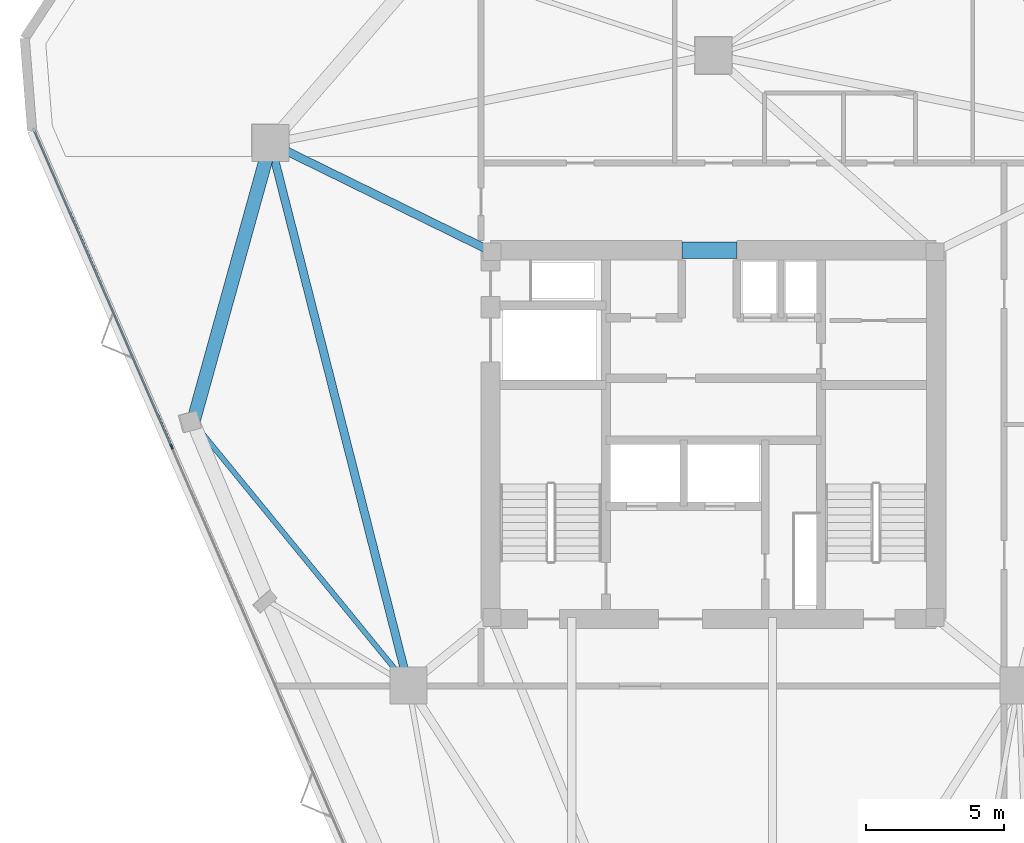
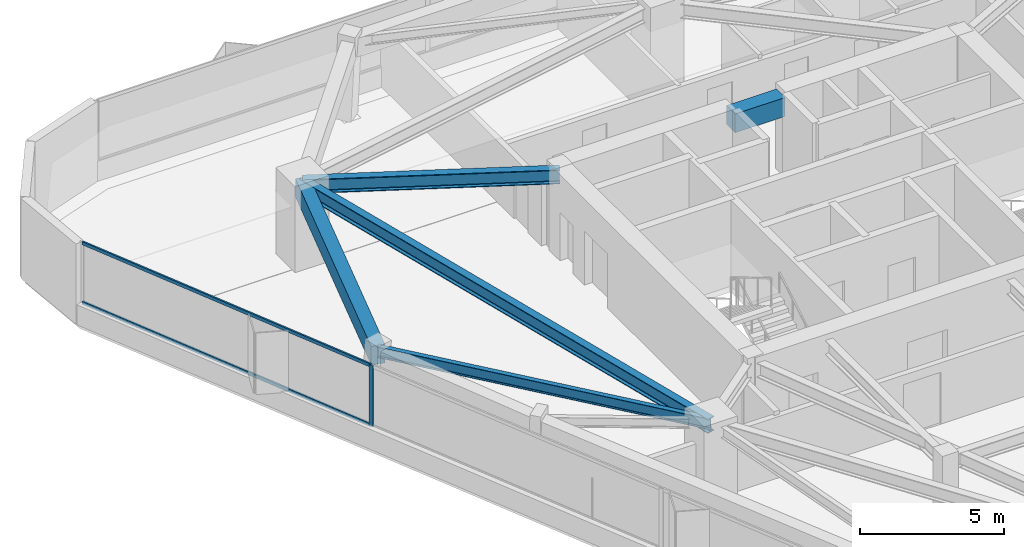
# One storey, part 6 of 13: 5 beams, 3 members, 1 element without a shape of its own.
"""IFC4 building model written with IfcOpenShell, lengths in metres."""

from ifc_helpers import new_model, si_unit, direction, frame, origin, origin_2d, place, context, subcontext, project, spatial, rectangle, i_section, extrude, material, layer, layer_set, material_profile, profile_set, type_object, element, aggregate, save


model = new_model("IFC4")

# Units and contexts
model_context = context("Model", 3, precision=1e-05, world=origin(), true_north=direction((0.0, 1.0)))
body_context = subcontext(model_context, "Body", "Model", "MODEL_VIEW")
ifc_project = project(units=[si_unit("LENGTHUNIT", "METRE"), si_unit("AREAUNIT", "SQUARE_METRE"), si_unit("VOLUMEUNIT", "CUBIC_METRE"), si_unit("PLANEANGLEUNIT", "RADIAN"), si_unit("MASSUNIT", "GRAM", prefix="KILO")], contexts=[model_context])

# Site, building, storey
site_placement = place(None, origin())
site = spatial("IfcSite", under=ifc_project, at=site_placement, CompositionType="ELEMENT")
building_placement = place(site_placement, origin())
building = spatial("IfcBuilding", under=site, at=building_placement, Name="Talyreon Biosciences Tower", CompositionType="ELEMENT")
storey_placement = place(building_placement, frame((0.0, 0.0, 212.25)))
storey = spatial("IfcBuildingStorey", under=building, at=storey_placement, Name="L56", CompositionType="ELEMENT", Elevation=212.25)

# Curtain wall, members
ifc_material_1 = material(Name="Thermally broken aluminium and low-E glazing", Category="aluminium")
ifc_layer = layer(ifc_material_1, 0.179931640625)
ifc_layer_set = layer_set([ifc_layer], Name="Thermally broken aluminium and low-E glazing")
curtain_wall_type = type_object("IfcCurtainWallType", Name="CurtainWall_Zone4Optical", PredefinedType="NOTDEFINED", material=ifc_layer_set)
curtain_wall_placement = place(storey_placement, origin())
curtain_wall = element("IfcCurtainWall", 1, at=curtain_wall_placement, inside=storey, type_object=curtain_wall_type, Name="L56 Unitised Curtain Wall FCW-L56-00", PredefinedType="NOTDEFINED")
ifc_material_2 = material(Name="Anodised thermally broken aluminium", Category="aluminium")
ifc_material_profile_1 = material_profile(ifc_material_2, rectangle(XDim=0.06494140625, YDim=0.179931640625, at=origin_2d()), Name="ALUM MULLION 65x180")
ifc_profile_set_1 = profile_set([ifc_material_profile_1], Name="Anodised thermally broken aluminium")
member_type_1 = type_object("IfcMemberType", Name="CWMullion_65x180", PredefinedType="MULLION", material=ifc_profile_set_1)
member_1_placement = place(storey_placement, frame((46.3037109375, 67.566650390625, 0.81005859375), z_axis=(0.0, 0.0, 1.0), x_axis=(-0.917221993355, -0.398376473835, 0.0)))
member_1 = element("IfcMember", 2, at=member_1_placement, type_object=member_type_1, Name="CW5 mullion 4", PredefinedType="MULLION", context=body_context, shape_type="SweptSolid", body=[
    extrude(rectangle(XDim=0.06494140625, YDim=0.179931640625, at=origin_2d()), origin(), (0.0, 0.0, 1.0), 2.58984375),
])
ifc_material_profile_2 = material_profile(ifc_material_2, rectangle(XDim=0.06494140625, YDim=0.139892578125, at=origin_2d()), Name="ALUM TRANSOM 65x140")
ifc_profile_set_2 = profile_set([ifc_material_profile_2], Name="Anodised thermally broken aluminium")
member_type_2 = type_object("IfcMemberType", Name="CWTransom_65x140", PredefinedType="USERDEFINED", material=ifc_profile_set_2)
member_2_placement = place(storey_placement, frame((46.290771484375, 67.596435546875, 0.842529296875), z_axis=(-0.398376978135, 0.917221774323, 0.0), x_axis=(-0.917221774323, -0.398376978135, 0.0)))
member_2 = element("IfcMember", 3, at=member_2_placement, type_object=member_type_2, Name="CW5 transom 4.1", ObjectType="TRANSOM", PredefinedType="USERDEFINED", context=body_context, shape_type="SweptSolid", body=[
    extrude(rectangle(XDim=0.06494140625, YDim=0.139892578125, at=origin_2d()), origin(), (0.0, 0.0, 1.0), 12.453369140625),
])
member_3_placement = place(storey_placement, frame((46.290771484375, 67.596435546875, 3.367431640625), z_axis=(-0.398376978135, 0.917221774323, 0.0), x_axis=(-0.917221774323, -0.398376978135, 0.0)))
member_3 = element("IfcMember", 4, at=member_3_placement, type_object=member_type_2, Name="CW5 transom 4.2", ObjectType="TRANSOM", PredefinedType="USERDEFINED", context=body_context, shape_type="SweptSolid", body=[
    extrude(rectangle(XDim=0.06494140625, YDim=0.139892578125, at=origin_2d()), origin(), (0.0, 0.0, 1.0), 12.453369140625),
])
aggregate(curtain_wall, [member_1, member_2, member_3])

# Beams
ifc_material_3 = material(Name="Concrete C50/60", Category="concrete")
ifc_material_profile_3 = material_profile(ifc_material_3, rectangle(XDim=0.60009765625, YDim=0.800048828125, at=origin_2d()), Name="RCB 600x800")
ifc_profile_set_3 = profile_set([ifc_material_profile_3], Name="Concrete C50/60")
beam_type_1 = type_object("IfcBeamType", Name="CoreCouplingLintel_600x800", PredefinedType="LINTEL", material=ifc_profile_set_3)
beam_1_placement = place(storey_placement, frame((64.85009765625, 74.699951171875, 3.0), z_axis=(1.0, 0.0, 0.0), x_axis=(0.0, 1.0, 0.0)))
element("IfcBeam", 5, at=beam_1_placement, inside=storey, type_object=beam_type_1, Name="L56 Core Coupling Lintel", PredefinedType="LINTEL", context=body_context, shape_type="SweptSolid", body=[
    extrude(rectangle(XDim=0.60009765625, YDim=0.800048828125, at=origin_2d()), origin(), (0.0, 0.0, 1.0), 2.0),
])
ifc_material_4 = material(Name="Precast concrete C45/55", Category="concrete")
ifc_material_profile_4 = material_profile(ifc_material_4, rectangle(XDim=0.5, YDim=0.780029296875, at=origin_2d()), Name="RCB 500x780")
ifc_profile_set_4 = profile_set([ifc_material_profile_4], Name="Precast concrete C45/55")
beam_type_2 = type_object("IfcBeamType", Name="ExpressedSpandrel_500x780", PredefinedType="SPANDREL", material=ifc_profile_set_4)
beam_2_placement = place(storey_placement, frame((49.897705078125, 78.5986328125, 3.010009765625), z_axis=(-0.267147471715, -0.963655658602, 0.0), x_axis=(0.963655658602, -0.267147471715, 0.0)))
element("IfcBeam", 6, at=beam_2_placement, inside=storey, type_object=beam_type_2, Name="L56 Expressed Horizontal Concrete Spandrel 09", PredefinedType="SPANDREL", context=body_context, shape_type="SweptSolid", body=[
    extrude(rectangle(XDim=0.5, YDim=0.780029296875, at=origin_2d()), origin(), (0.0, 0.0, 1.0), 10.52783203125),
])
ifc_material_5 = material(Name="Steel SM355", Category="steel")
ifc_material_profile_5 = material_profile(ifc_material_5, i_section(OverallWidth=0.300048828125, OverallDepth=0.60009765625, WebThickness=0.015380859375, FlangeThickness=0.030029296875, FilletRadius=0.027099609375, at=origin_2d()), Name="HE600B")
ifc_profile_set_5 = profile_set([ifc_material_profile_5], Name="Steel SM355")
beam_type_3 = type_object("IfcBeamType", Name="SteelBeam_HE600B", PredefinedType="BEAM", material=ifc_profile_set_5)
beam_3_placement = place(storey_placement, frame((49.897705078125, 78.5986328125, 3.10009765625), z_axis=(0.246537082299, -0.969133358755, 0.0), x_axis=(0.969133358755, 0.246537082299, 0.0)))
element("IfcBeam", 7, at=beam_3_placement, inside=storey, type_object=beam_type_3, Name="L56 Mega-Ring Girder 5", PredefinedType="BEAM", context=body_context, shape_type="SweptSolid", body=[
    extrude(i_section(OverallWidth=0.300048828125, OverallDepth=0.60009765625, WebThickness=0.015380859375, FlangeThickness=0.030029296875, FilletRadius=0.027099609375, at=origin_2d()), origin(), (0.0, 0.0, 1.0), 20.34619140625),
])
beam_4_placement = place(storey_placement, frame((57.949951171875, 74.64990234375, 3.10009765625), z_axis=(-0.897852360314, 0.440296648952, 0.0), x_axis=(-0.440296648952, -0.897852360314, 0.0)))
element("IfcBeam", 8, at=beam_4_placement, inside=storey, type_object=beam_type_3, Name="L56 Radial Primary Girder 5", PredefinedType="BEAM", context=body_context, shape_type="SweptSolid", body=[
    extrude(i_section(OverallWidth=0.300048828125, OverallDepth=0.60009765625, WebThickness=0.015380859375, FlangeThickness=0.030029296875, FilletRadius=0.027099609375, at=origin_2d()), origin(), (0.0, 0.0, 1.0), 8.96826171875),
])
ifc_material_profile_6 = material_profile(ifc_material_5, i_section(OverallWidth=0.18994140625, OverallDepth=0.449951171875, WebThickness=0.009521484375, FlangeThickness=0.0146484375, FilletRadius=0.02099609375, at=origin_2d()), Name="IPE450")
ifc_profile_set_6 = profile_set([ifc_material_profile_6], Name="Steel SM355")
beam_type_4 = type_object("IfcBeamType", Name="SteelJoist_IPE450", PredefinedType="JOIST", material=ifc_profile_set_6)
beam_5_placement = place(storey_placement, frame((54.913818359375, 58.88037109375, 3.175048828125), z_axis=(-0.633051785282, 0.774109447786, 0.0), x_axis=(-0.774109447786, -0.633051785282, 0.0)))
element("IfcBeam", 9, at=beam_5_placement, inside=storey, type_object=beam_type_4, Name="L56 Radial Composite Floor Joist PC-SW1", PredefinedType="JOIST", context=body_context, shape_type="SweptSolid", body=[
    extrude(i_section(OverallWidth=0.18994140625, OverallDepth=0.449951171875, WebThickness=0.009521484375, FlangeThickness=0.0146484375, FilletRadius=0.02099609375, at=origin_2d()), origin(), (0.0, 0.0, 1.0), 12.366455078125),
])

save(model, "model.ifc")
